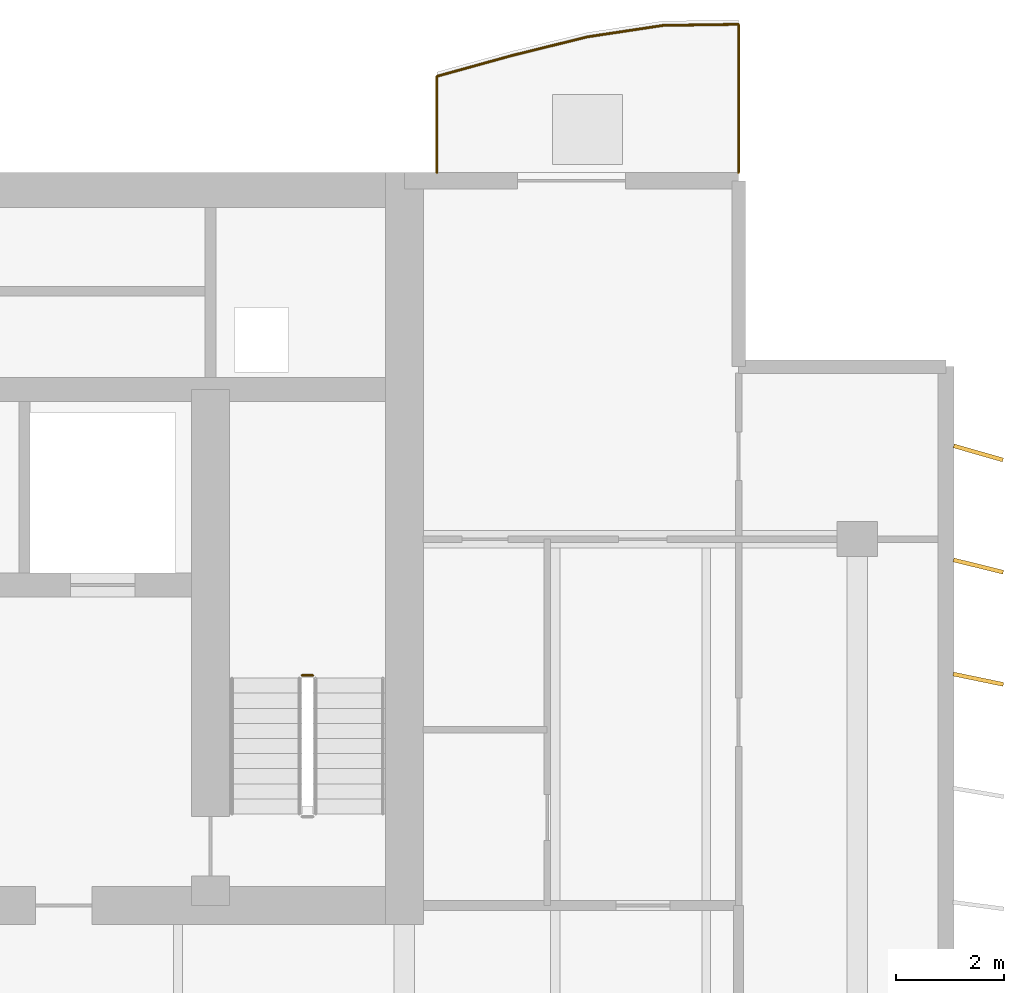
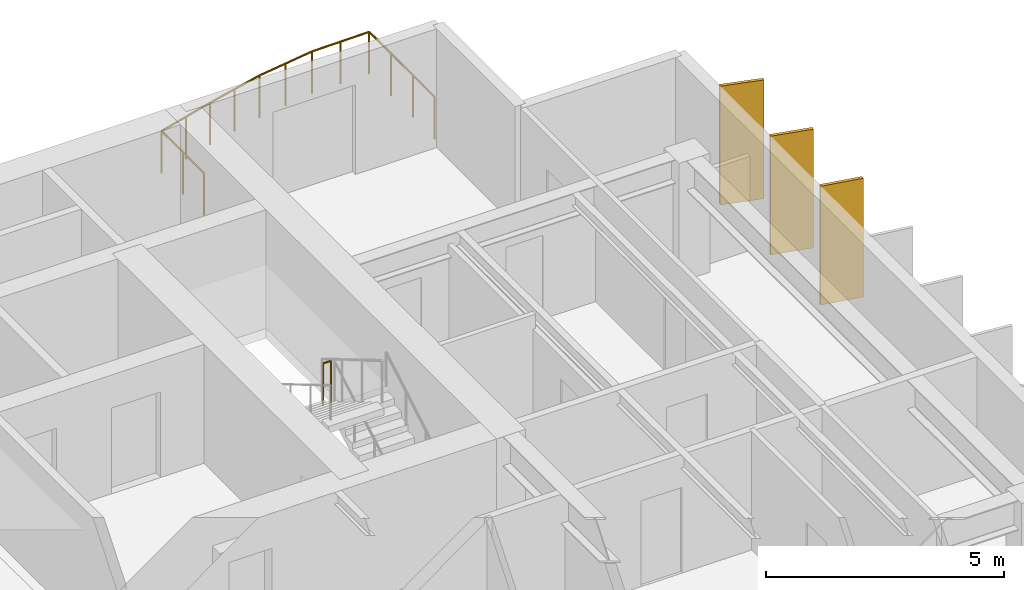
# One storey, part 19 of 19: 3 shading devices, 2 railings.
"""IFC4 building model written with IfcOpenShell, lengths in metres."""

from ifc_helpers import new_model, si_unit, direction, frame, origin, origin_2d, place, context, subcontext, project, spatial, rectangle, circle, extrude, material, material_profile, profile_set, type_object, element, save


model = new_model("IFC4")

# Units and contexts
model_context = context("Model", 3, precision=1e-05, world=origin(), true_north=direction((0.0, 1.0)))
body_context = subcontext(model_context, "Body", "Model", "MODEL_VIEW")
ifc_project = project(units=[si_unit("LENGTHUNIT", "METRE"), si_unit("AREAUNIT", "SQUARE_METRE"), si_unit("VOLUMEUNIT", "CUBIC_METRE"), si_unit("PLANEANGLEUNIT", "RADIAN"), si_unit("MASSUNIT", "GRAM", prefix="KILO")], contexts=[model_context])

# Site, building, storey
site_placement = place(None, origin())
site = spatial("IfcSite", under=ifc_project, at=site_placement, CompositionType="ELEMENT")
building_placement = place(site_placement, origin())
building = spatial("IfcBuilding", under=site, at=building_placement, Name="Caelmar Bay Residences", CompositionType="ELEMENT")
storey_placement = place(building_placement, frame((0.0, 0.0, 256.199951171875)))
storey = spatial("IfcBuildingStorey", under=building, at=storey_placement, Name="L72", CompositionType="ELEMENT", Elevation=256.199951171875)

# Railings
ifc_material_1 = material(Name="Anodised bronze handrail with laminated hurricane glass infill", Category="glass")
railing_type_1 = type_object("IfcRailingType", Name="RL-BAL-1100", PredefinedType="BALUSTRADE", material=ifc_material_1)
railing_1_placement = place(storey_placement, frame((65.699951171875, 50.60009765625, 0.0)))
element("IfcRailing", 1, at=railing_1_placement, inside=storey, type_object=railing_type_1, Name="L72 north_east Balcony Balustrade", PredefinedType="BALUSTRADE", context=body_context, shape_type="SweptSolid", body=[
    extrude(circle(Radius=0.02392578125, at=origin_2d()), frame((0.0, 0.0, 1.076171875), z_axis=(0.0, 1.0, 0.0), x_axis=(-1.0, 0.0, 0.0)), (0.0, 0.0, 1.0), 2.75341796875),
    extrude(circle(Radius=0.02392578125, at=origin_2d()), frame((0.0, 2.75341796875, 1.076171875), z_axis=(-0.999895252764, -0.014473544817, 0.0), x_axis=(0.014473544817, -0.999895252764, 0.0)), (0.0, 0.0, 1.0), 1.400146484375),
    extrude(circle(Radius=0.02392578125, at=origin_2d()), frame((-1.39990234375, 2.733154296875, 1.076171875), z_axis=(-0.988790443359, -0.149309943147, 0.0), x_axis=(0.149309943147, -0.988790443359, 0.0)), (0.0, 0.0, 1.0), 1.416015625),
    extrude(circle(Radius=0.02392578125, at=origin_2d()), frame((-2.800048828125, 2.521728515625, 1.076171875), z_axis=(-0.970796240082, -0.239905523578, 0.0), x_axis=(0.239905523578, -0.970796240082, 0.0)), (0.0, 0.0, 1.0), 1.44189453125),
    extrude(circle(Radius=0.02392578125, at=origin_2d()), frame((-4.199951171875, 2.17578125, 1.076171875), z_axis=(-0.963724701315, -0.266898295376, 0.0), x_axis=(0.266898295376, -0.963724701315, 0.0)), (0.0, 0.0, 1.0), 1.45263671875),
    extrude(circle(Radius=0.02392578125, at=origin_2d()), frame((-5.599853515625, 1.7880859375, 1.076171875), z_axis=(0.0, -1.0, 0.0), x_axis=(1.0, 0.0, 0.0)), (0.0, 0.0, 1.0), 1.7880859375),
    extrude(circle(Radius=0.02099609375, at=origin_2d()), origin(), (0.0, 0.0, 1.0), 1.052001953125),
    extrude(circle(Radius=0.02099609375, at=origin_2d()), frame((0.0, 0.917724609375, 0.0)), (0.0, 0.0, 1.0), 1.052001953125),
    extrude(circle(Radius=0.02099609375, at=origin_2d()), frame((0.0, 1.835693359375, 0.0)), (0.0, 0.0, 1.0), 1.052001953125),
    extrude(circle(Radius=0.02099609375, at=origin_2d()), frame((0.0, 2.75341796875, 0.0)), (0.0, 0.0, 1.0), 1.052001953125),
    extrude(circle(Radius=0.02099609375, at=origin_2d()), frame((-0.699951171875, 2.7431640625, 0.0)), (0.0, 0.0, 1.0), 1.052001953125),
    extrude(circle(Radius=0.02099609375, at=origin_2d()), frame((-1.39990234375, 2.733154296875, 0.0)), (0.0, 0.0, 1.0), 1.052001953125),
    extrude(circle(Radius=0.02099609375, at=origin_2d()), frame((-2.10009765625, 2.62744140625, 0.0)), (0.0, 0.0, 1.0), 1.052001953125),
    extrude(circle(Radius=0.02099609375, at=origin_2d()), frame((-2.800048828125, 2.521728515625, 0.0)), (0.0, 0.0, 1.0), 1.052001953125),
    extrude(circle(Radius=0.02099609375, at=origin_2d()), frame((-3.5, 2.3486328125, 0.0)), (0.0, 0.0, 1.0), 1.052001953125),
    extrude(circle(Radius=0.02099609375, at=origin_2d()), frame((-4.199951171875, 2.17578125, 0.0)), (0.0, 0.0, 1.0), 1.052001953125),
    extrude(circle(Radius=0.02099609375, at=origin_2d()), frame((-4.89990234375, 1.98193359375, 0.0)), (0.0, 0.0, 1.0), 1.052001953125),
    extrude(circle(Radius=0.02099609375, at=origin_2d()), frame((-5.599853515625, 1.7880859375, 0.0)), (0.0, 0.0, 1.0), 1.052001953125),
    extrude(circle(Radius=0.02099609375, at=origin_2d()), frame((-5.599853515625, 0.89404296875, 0.0)), (0.0, 0.0, 1.0), 1.052001953125),
    extrude(circle(Radius=0.02099609375, at=origin_2d()), frame((-5.599853515625, 0.0, 0.0)), (0.0, 0.0, 1.0), 1.052001953125),
])
ifc_material_2 = material(Name="Painted galvanized steel stair guard 1100 mm", Category="steel")
railing_type_2 = type_object("IfcRailingType", Name="RL-GRD-1100", PredefinedType="GUARDRAIL", material=ifc_material_2)
railing_2_placement = place(storey_placement, frame((57.800048828125, 41.27001953125, 1.650146484375)))
element("IfcRailing", 2, at=railing_2_placement, inside=storey, type_object=railing_type_2, Name="L72 ST2 stair guard 2", PredefinedType="GUARDRAIL", context=body_context, shape_type="SweptSolid", body=[
    extrude(circle(Radius=0.02392578125, at=origin_2d()), frame((0.0, 0.0, 1.076171875), z_axis=(-1.0, 0.0, 0.0), x_axis=(0.0, -1.0, 0.0)), (0.0, 0.0, 1.0), 0.199951171875),
    extrude(circle(Radius=0.02099609375, at=origin_2d()), origin(), (0.0, 0.0, 1.0), 1.052001953125),
    extrude(circle(Radius=0.02099609375, at=origin_2d()), frame((-0.199951171875, 0.0, 0.0)), (0.0, 0.0, 1.0), 1.052001953125),
])

# Shading devices
ifc_material_3 = material(Name="Anodised architectural bronze aluminium 6063-T6", Category="aluminium")
ifc_material_profile = material_profile(ifc_material_3, rectangle(XDim=0.074951171875, YDim=0.949951171875, at=origin_2d()), Name="BRONZE-FIN-75X950")
ifc_profile_set = profile_set([ifc_material_profile], Name="Anodised architectural bronze aluminium 6063-T6")
shading_device_type = type_object("IfcShadingDeviceType", Name="SHD-FIN-950", PredefinedType="USERDEFINED", material=ifc_profile_set)
for number, where, z_axis, x_axis, name in (
    (3, (70.14990234375, 41.199951171875, 0.0), (0.0, 0.0, 1.0), (0.2032999874, 0.979116497217, 0.0), "L72 East Bronze Solar Fin 14"),
    (4, (70.14990234375, 43.300048828125, 0.0), (0.0, 0.0, 1.0), (0.239719743609, 0.970842131618, 0.0), "L72 East Bronze Solar Fin 15"),
    (5, (70.14990234375, 45.39990234375, 0.0), (0.0, 0.0, 1.0), (0.275637355817, 0.961261695938, 0.0), "L72 East Bronze Solar Fin 16"),
):
    element("IfcShadingDevice", number, at=place(storey_placement, frame(where, z_axis=z_axis, x_axis=x_axis)), inside=storey, type_object=shading_device_type, Name=name, ObjectType="FIN", PredefinedType="USERDEFINED", context=body_context, shape_type="SweptSolid", body=[
        extrude(rectangle(XDim=0.074951171875, YDim=0.949951171875, at=origin_2d()), origin(), (0.0, 0.0, 1.0), 3.050048828125),
    ])

save(model, "model.ifc")
